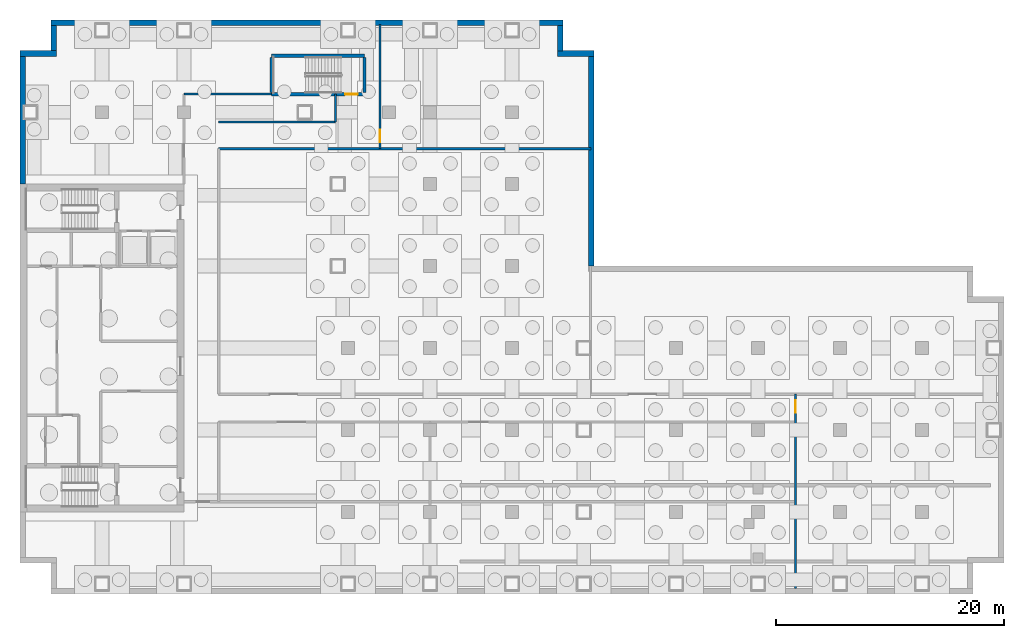
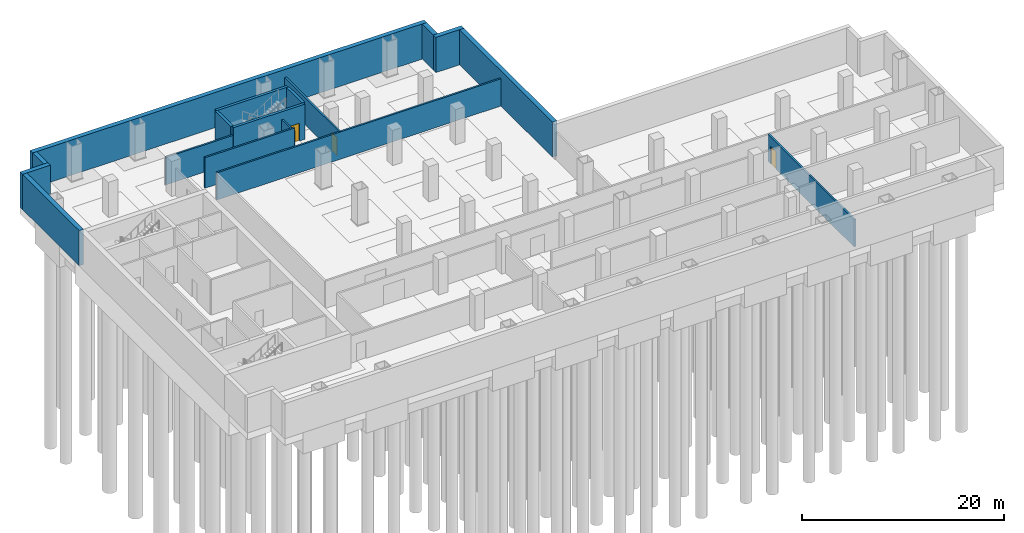
# One storey, part 7 of 11: 17 walls, 3 doors, 3 openings.
"""IFC4 building model written with IfcOpenShell, lengths in metres."""

from ifc_helpers import new_model, si_unit, direction, frame, frame_2d, origin, place, context, subcontext, project, spatial, rectangle, extrude, material, layer, layer_set, type_object, element, fill, save


model = new_model("IFC4")

# Units and contexts
model_context = context("Model", 3, precision=1e-05, world=origin(), true_north=direction((0.0, 1.0)))
body_context = subcontext(model_context, "Body", "Model", "MODEL_VIEW")
ifc_project = project(units=[si_unit("LENGTHUNIT", "METRE"), si_unit("AREAUNIT", "SQUARE_METRE"), si_unit("VOLUMEUNIT", "CUBIC_METRE"), si_unit("PLANEANGLEUNIT", "RADIAN"), si_unit("MASSUNIT", "GRAM", prefix="KILO")], contexts=[model_context])

# Site, building, storey
site_placement = place(None, origin())
site = spatial("IfcSite", under=ifc_project, at=site_placement, CompositionType="ELEMENT")
building_placement = place(site_placement, origin())
building = spatial("IfcBuilding", under=site, at=building_placement, Name="Cobrela Telecom Tower", CompositionType="ELEMENT")
storey_placement = place(building_placement, frame((0.0, 0.0, -9.10009765625)))
storey = spatial("IfcBuildingStorey", under=building, at=storey_placement, Name="B2", CompositionType="ELEMENT", Elevation=-9.10009765625)

# Walls
ifc_material_1 = material(Name="Concrete C40/50", Category="concrete")
ifc_layer_1 = layer(ifc_material_1, 0.5)
ifc_layer_set_1 = layer_set([ifc_layer_1], Name="Concrete C40/50")
wall_type_1 = type_object("IfcWallType", Name="WALL-RET-C40-500", PredefinedType="SOLIDWALL", material=ifc_layer_set_1)
wall_1_placement = place(storey_placement, frame((0.25, 36.0, 0.0), z_axis=(0.0, 0.0, 1.0), x_axis=(0.0, 1.0, 0.0)))
element("IfcWall", 1, at=wall_1_placement, inside=storey, type_object=wall_type_1, Name="B2 Basement Retaining Wall 3.2", PredefinedType="SOLIDWALL", context=body_context, shape_type="SweptSolid", body=[
    extrude(rectangle(XDim=11.199951171875, YDim=0.5, at=frame_2d((5.60009765625, 0.0))), origin(), (0.0, 0.0, 1.0), 4.25),
])
wall_2_placement = place(storey_placement, frame((0.0, 47.449951171875, 0.0), z_axis=(0.0, 0.0, 1.0), x_axis=(1.0, 0.0, 0.0)))
element("IfcWall", 2, at=wall_2_placement, inside=storey, type_object=wall_type_1, Name="B2 Basement Retaining Wall 04", PredefinedType="SOLIDWALL", context=body_context, shape_type="SweptSolid", body=[
    extrude(rectangle(XDim=3.199951171875, YDim=0.5, at=frame_2d((1.60009765625, 0.0))), origin(), (0.0, 0.0, 1.0), 4.25),
])
wall_3_placement = place(storey_placement, frame((2.949951171875, 47.699951171875, 0.0), z_axis=(0.0, 0.0, 1.0), x_axis=(0.0, 1.0, 0.0)))
element("IfcWall", 3, at=wall_3_placement, inside=storey, type_object=wall_type_1, Name="B2 Basement Retaining Wall 05", PredefinedType="SOLIDWALL", context=body_context, shape_type="SweptSolid", body=[
    extrude(rectangle(XDim=2.199951171875, YDim=0.5, at=frame_2d((1.10009765625, 0.0))), origin(), (0.0, 0.0, 1.0), 4.25),
])
wall_4_placement = place(storey_placement, frame((2.699951171875, 50.14990234375, 0.0), z_axis=(0.0, 0.0, 1.0), x_axis=(1.0, 0.0, 0.0)))
element("IfcWall", 4, at=wall_4_placement, inside=storey, type_object=wall_type_1, Name="B2 Basement Retaining Wall 06", PredefinedType="SOLIDWALL", context=body_context, shape_type="SweptSolid", body=[
    extrude(rectangle(XDim=45.0, YDim=0.5, at=frame_2d((22.5, 0.0))), origin(), (0.0, 0.0, 1.0), 4.25),
])
wall_5_placement = place(storey_placement, frame((47.449951171875, 49.89990234375, 0.0), z_axis=(0.0, 0.0, 1.0), x_axis=(0.0, -1.0, 0.0)))
element("IfcWall", 5, at=wall_5_placement, inside=storey, type_object=wall_type_1, Name="B2 Basement Retaining Wall 07", PredefinedType="SOLIDWALL", context=body_context, shape_type="SweptSolid", body=[
    extrude(rectangle(XDim=2.199951171875, YDim=0.5, at=frame_2d((1.10009765625, 0.0))), origin(), (0.0, 0.0, 1.0), 4.25),
])
wall_6_placement = place(storey_placement, frame((47.199951171875, 47.449951171875, 0.0), z_axis=(0.0, 0.0, 1.0), x_axis=(1.0, 0.0, 0.0)))
element("IfcWall", 6, at=wall_6_placement, inside=storey, type_object=wall_type_1, Name="B2 Basement Retaining Wall 08", PredefinedType="SOLIDWALL", context=body_context, shape_type="SweptSolid", body=[
    extrude(rectangle(XDim=3.199951171875, YDim=0.5, at=frame_2d((1.60009765625, 0.0))), origin(), (0.0, 0.0, 1.0), 4.25),
])
wall_7_placement = place(storey_placement, frame((50.14990234375, 47.199951171875, 0.0), z_axis=(0.0, 0.0, 1.0), x_axis=(0.0, -1.0, 0.0)))
element("IfcWall", 7, at=wall_7_placement, inside=storey, type_object=wall_type_1, Name="B2 Basement Retaining Wall 09", PredefinedType="SOLIDWALL", context=body_context, shape_type="SweptSolid", body=[
    extrude(rectangle(XDim=18.39990234375, YDim=0.5, at=frame_2d((9.199951171875, 0.0))), origin(), (0.0, 0.0, 1.0), 4.25),
])
ifc_material_2 = material(Name="Fire-Rated Gypsum Plasterboard")
ifc_layer_2 = layer(ifc_material_2, 0.199951171875)
ifc_layer_set_2 = layer_set([ifc_layer_2], Name="Fire-Rated Gypsum Plasterboard")
wall_type_2 = type_object("IfcWallType", Name="WALL-SHAFT-200", PredefinedType="PARTITIONING", material=ifc_layer_set_2)
wall_8_placement = place(storey_placement, frame((14.39990234375, 43.89990234375, 0.0), z_axis=(0.0, 0.0, 1.0), x_axis=(1.0, 0.0, 0.0)))
element("IfcWall", 8, at=wall_8_placement, inside=storey, type_object=wall_type_2, Name="B2 Shaft Enclosure W-B2-N1", PredefinedType="PARTITIONING", context=body_context, shape_type="SweptSolid", body=[
    extrude(rectangle(XDim=7.7001953125, YDim=0.199951171875, at=frame_2d((3.85009765625, 0.0))), origin(), (0.0, 0.0, 1.0), 3.2880859375),
])
wall_9_placement = place(storey_placement, frame((17.449951171875, 41.449951171875, 0.0), z_axis=(0.0, 0.0, 1.0), x_axis=(1.0, 0.0, 0.0)))
element("IfcWall", 9, at=wall_9_placement, inside=storey, type_object=wall_type_2, Name="B2 Shaft Enclosure W-B2-N2A", PredefinedType="PARTITIONING", context=body_context, shape_type="SweptSolid", body=[
    extrude(rectangle(XDim=10.25, YDim=0.199951171875, at=frame_2d((5.125, 0.0))), origin(), (0.0, 0.0, 1.0), 3.68603515625),
])
wall_10_placement = place(storey_placement, frame((17.449951171875, 39.10009765625, 0.0), z_axis=(0.0, 0.0, 1.0), x_axis=(1.0, 0.0, 0.0)))
element("IfcWall", 10, at=wall_10_placement, inside=storey, type_object=wall_type_2, Name="B2 Shaft Enclosure W-B2-N2B", PredefinedType="PARTITIONING", context=body_context, shape_type="SweptSolid", body=[
    extrude(rectangle(XDim=32.699951171875, YDim=0.199951171875, at=frame_2d((16.35009765625, 0.0))), origin(), (0.0, 0.0, 1.0), 3.2880859375),
])
wall_11_placement = place(storey_placement, frame((27.699951171875, 41.449951171875, 0.0), z_axis=(0.0, 0.0, 1.0), x_axis=(0.0, 1.0, 0.0)))
element("IfcWall", 11, at=wall_11_placement, inside=storey, type_object=wall_type_2, Name="B2 Shaft Enclosure W-B2-N3W", PredefinedType="PARTITIONING", context=body_context, shape_type="SweptSolid", body=[
    extrude(rectangle(XDim=2.449951171875, YDim=0.199951171875, at=frame_2d((1.22509765625, 0.0))), origin(), (0.0, 0.0, 1.0), 3.2880859375),
])

# Wall, opening, door
wall_12_placement = place(storey_placement, frame((31.60009765625, 39.10009765625, 0.0), z_axis=(0.0, 0.0, 1.0), x_axis=(0.0, 1.0, 0.0)))
wall_12 = element("IfcWall", 12, at=wall_12_placement, inside=storey, type_object=wall_type_2, Name="B2 Shaft Enclosure W-B2-N3E", PredefinedType="PARTITIONING", context=body_context, shape_type="SweptSolid", body=[
    extrude(rectangle(XDim=10.89990234375, YDim=0.199951171875, at=frame_2d((5.449951171875, 0.0))), origin(), (0.0, 0.0, 1.0), 3.2880859375),
])
opening_1_placement = place(wall_12_placement, frame((0.580078125, 0.0, 0.0)))
opening_1 = element("IfcOpeningElement", 13, at=opening_1_placement, cuts=wall_12, Name="Opening DR-59", PredefinedType="OPENING", context=body_context, shape_type="SweptSolid", body=[
    extrude(rectangle(XDim=1.10009765625, YDim=2.14990234375, at=frame_2d((0.550048828125, 1.074951171875))), frame((0.0, 0.11181640625, 0.0), z_axis=(0.0, -1.0, 0.0), x_axis=(1.0, 0.0, 0.0)), (0.0, 0.0, 1.0), 0.223876953125),
])
ifc_material_3 = material(Name="Steel ASTM A36", Category="steel")
door_type_1 = type_object("IfcDoorType", Name="DOOR-FD60-1100", OperationType="SINGLE_SWING_LEFT", PredefinedType="DOOR", material=ifc_material_3)
door_1_placement = place(opening_1_placement, origin())
door_1 = element("IfcDoor", 14, at=door_1_placement, inside=storey, type_object=door_type_1, Name="B2 Door DR-59", OperationType="SINGLE_SWING_LEFT", OverallHeight=2.14990234375, OverallWidth=1.10009765625, PredefinedType="DOOR", context=body_context, shape_type="SweptSolid", body=[
    extrude(rectangle(XDim=1.10009765625, YDim=2.14990234375, at=frame_2d((0.550048828125, 1.074951171875))), frame((0.0, 0.02490234375, 0.0), z_axis=(0.0, -1.0, 0.0), x_axis=(1.0, 0.0, 0.0)), (0.0, 0.0, 1.0), 0.050048828125),
])
fill(opening_1, door_1)

wall_13_placement = place(storey_placement, frame((68.10009765625, 0.5, 0.0), z_axis=(0.0, 0.0, 1.0), x_axis=(0.0, 1.0, 0.0)))
wall_13 = element("IfcWall", 15, at=wall_13_placement, inside=storey, type_object=wall_type_2, Name="B2 Shaft Enclosure W-B2-END", PredefinedType="PARTITIONING", context=body_context, shape_type="SweptSolid", body=[
    extrude(rectangle(XDim=17.050048828125, YDim=0.199951171875, at=frame_2d((8.52490234375, 0.0))), origin(), (0.0, 0.0, 1.0), 3.2880859375),
])
opening_2_placement = place(wall_13_placement, frame((15.39990234375, 0.0, 0.0)))
opening_2 = element("IfcOpeningElement", 16, at=opening_2_placement, cuts=wall_13, Name="Opening DR-59", PredefinedType="OPENING", context=body_context, shape_type="SweptSolid", body=[
    extrude(rectangle(XDim=1.10009765625, YDim=2.14990234375, at=frame_2d((0.550048828125, 1.074951171875))), frame((0.0, 0.11181640625, 0.0), z_axis=(0.0, -1.0, 0.0), x_axis=(1.0, 0.0, 0.0)), (0.0, 0.0, 1.0), 0.223876953125),
])
door_2_placement = place(opening_2_placement, origin())
door_2 = element("IfcDoor", 17, at=door_2_placement, inside=storey, type_object=door_type_1, Name="B2 Door DR-59", OperationType="SINGLE_SWING_LEFT", OverallHeight=2.14990234375, OverallWidth=1.10009765625, PredefinedType="DOOR", context=body_context, shape_type="SweptSolid", body=[
    extrude(rectangle(XDim=1.10009765625, YDim=2.14990234375, at=frame_2d((0.550048828125, 1.074951171875))), frame((0.0, 0.02490234375, 0.0), z_axis=(0.0, -1.0, 0.0), x_axis=(1.0, 0.0, 0.0)), (0.0, 0.0, 1.0), 0.050048828125),
])
fill(opening_2, door_2)

ifc_layer_3 = layer(ifc_material_1, 0.39990234375)
ifc_layer_set_3 = layer_set([ifc_layer_3], Name="Concrete C40/50")
wall_type_3 = type_object("IfcWallType", Name="WALL-SHAFT-C40-400", PredefinedType="SHEAR", material=ifc_layer_set_3)
wall_14_placement = place(storey_placement, frame((22.10009765625, 43.8798828125, 0.0), z_axis=(0.0, 0.0, 1.0), x_axis=(1.0, 0.0, 0.0)))
wall_14 = element("IfcWall", 18, at=wall_14_placement, inside=storey, type_object=wall_type_3, Name="B2 Podium Stair ST3 South Shear Wall", PredefinedType="SHEAR", context=body_context, shape_type="SweptSolid", body=[
    extrude(rectangle(XDim=8.14990234375, YDim=0.300048828125, at=frame_2d((4.074951171875, 0.0))), origin(), (0.0, 0.0, 1.0), 4.25),
])
opening_3_placement = place(wall_14_placement, frame((6.449951171875, 0.0, 0.0)))
opening_3 = element("IfcOpeningElement", 19, at=opening_3_placement, cuts=wall_14, Name="Opening FD-90", PredefinedType="OPENING", context=body_context, shape_type="SweptSolid", body=[
    extrude(rectangle(XDim=1.10009765625, YDim=2.14990234375, at=frame_2d((0.550048828125, 1.074951171875))), frame((0.0, 0.162109375, 0.0), z_axis=(0.0, -1.0, 0.0), x_axis=(1.0, 0.0, 0.0)), (0.0, 0.0, 1.0), 0.323974609375),
])
door_type_2 = type_object("IfcDoorType", Name="DOOR-FD90-1100", OperationType="SINGLE_SWING_LEFT", PredefinedType="DOOR", material=ifc_material_3)
door_3_placement = place(opening_3_placement, origin())
door_3 = element("IfcDoor", 20, at=door_3_placement, inside=storey, type_object=door_type_2, Name="B2 Door FD-90", OperationType="SINGLE_SWING_LEFT", OverallHeight=2.14990234375, OverallWidth=1.10009765625, PredefinedType="DOOR", context=body_context, shape_type="SweptSolid", body=[
    extrude(rectangle(XDim=1.10009765625, YDim=2.14990234375, at=frame_2d((0.550048828125, 1.074951171875))), frame((0.0, 0.02490234375, 0.0), z_axis=(0.0, -1.0, 0.0), x_axis=(1.0, 0.0, 0.0)), (0.0, 0.0, 1.0), 0.050048828125),
])
fill(opening_3, door_3)

# Walls
wall_15_placement = place(storey_placement, frame((22.10009765625, 47.27001953125, 0.0), z_axis=(0.0, 0.0, 1.0), x_axis=(1.0, 0.0, 0.0)))
element("IfcWall", 21, at=wall_15_placement, inside=storey, type_object=wall_type_3, Name="B2 Podium Stair ST3 North Shear Wall", PredefinedType="SHEAR", context=body_context, shape_type="SweptSolid", body=[
    extrude(rectangle(XDim=8.14990234375, YDim=0.300048828125, at=frame_2d((4.074951171875, 0.0))), origin(), (0.0, 0.0, 1.0), 4.25),
])
for number, where, z_axis, x_axis, name in (
    (22, (22.10009765625, 44.050048828125, 0.0), (0.0, 0.0, 1.0), (0.0, 1.0, 0.0), "B2 Podium Stair ST3 West Shear Wall"),
    (23, (30.25, 44.050048828125, 0.0), (0.0, 0.0, 1.0), (0.0, 1.0, 0.0), "B2 Podium Stair ST3 East Shear Wall"),
):
    element("IfcWall", number, at=place(storey_placement, frame(where, z_axis=z_axis, x_axis=x_axis)), inside=storey, type_object=wall_type_3, Name=name, PredefinedType="SHEAR", context=body_context, shape_type="SweptSolid", body=[
        extrude(rectangle(XDim=3.050048828125, YDim=0.300048828125, at=frame_2d((1.52490234375, 0.0))), origin(), (0.0, 0.0, 1.0), 4.25),
    ])

save(model, "model.ifc")
